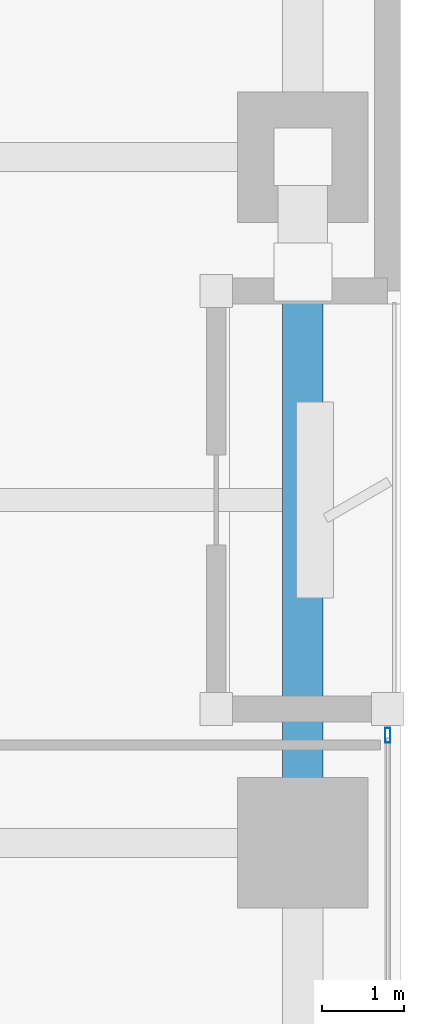
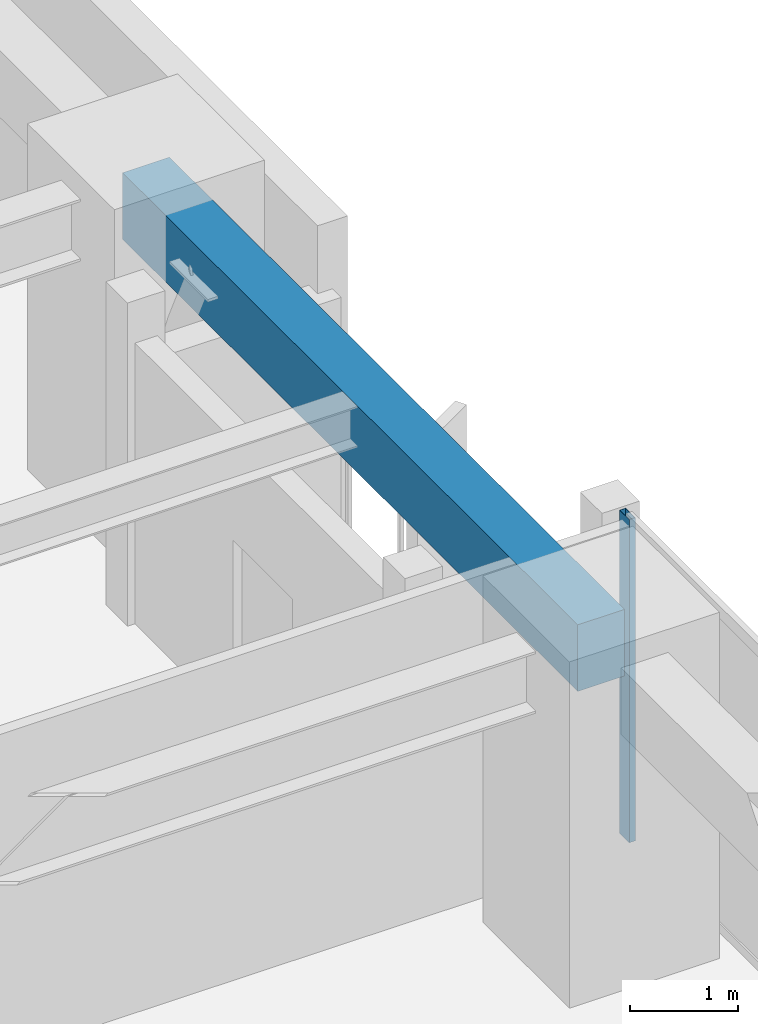
# One storey, part 10 of 28: 1 beam, 1 member, 1 element without a shape of its own.
"""IFC4 building model written with IfcOpenShell, lengths in metres."""

import ifcopenshell
import ifcopenshell.guid

model = None  # the IFC model being written
_history = None  # IfcOwnerHistory: only IFC2X3 demands one
_inside = {}  # id of a spatial element -> (the spatial element, [elements in it])
_under = {}  # id of a project, library or spatial element -> (it, [spatial elements below it])
_declared = {}  # id of a project -> (the project, [libraries it declares])
_typed = {}  # id of a type object -> (the type object, [elements of that type])
_made_of = {}  # id of a material, layer set ... -> (it, [elements and type objects made of it])


def new_model(schema):
    """Start an empty IFC model of exactly this schema.

    Asked for "IFC4X3", IfcOpenShell would pick the latest addendum, in which some entities
    have other attributes; the version numbers below select the first issue.
    IFC2X3 requires an IfcOwnerHistory on every rooted entity: one is made here for all.
    """
    global model, _history
    if schema == "IFC4X3":
        model = ifcopenshell.file(schema_version=(4, 3, 0, 0))
    else:
        model = ifcopenshell.file(schema=schema)
    _inside.clear()
    _under.clear()
    _declared.clear()
    _typed.clear()
    _made_of.clear()
    _history = None
    if model.schema == "IFC2X3":
        org = make("IfcOrganization", Name="unknown")
        user = make(
            "IfcPersonAndOrganization",
            ThePerson=make("IfcPerson", FamilyName="unknown"),
            TheOrganization=org,
        )
        app = make(
            "IfcApplication",
            ApplicationDeveloper=org,
            Version="unknown",
            ApplicationFullName="unknown",
            ApplicationIdentifier="unknown",
        )
        _history = make(
            "IfcOwnerHistory",
            OwningUser=user,
            OwningApplication=app,
            ChangeAction="ADDED",
            CreationDate=0,
        )
    return model


def make(cls, **values):
    """One entity of the class cls with the attributes given. An attribute that is None is left unset."""
    return model.create_entity(
        cls, **{name: value for name, value in values.items() if value is not None}
    )


def rooted(cls, **values):
    """An entity with a GlobalId (a new one), such as an element, a storey or a relation."""
    return make(cls, GlobalId=ifcopenshell.guid.new(), OwnerHistory=_history, **values)


def si_unit(unit_type, name, prefix=None):
    """IfcSIUnit, for example si_unit("LENGTHUNIT", "METRE", prefix="MILLI")."""
    return make("IfcSIUnit", UnitType=unit_type, Prefix=prefix, Name=name)


def assignment(units):
    """IfcUnitAssignment: the units of a project."""
    return None if units is None else make("IfcUnitAssignment", Units=units)


def point(xyz):
    """IfcCartesianPoint."""
    return None if xyz is None else make("IfcCartesianPoint", Coordinates=xyz)


def direction(xyz):
    """IfcDirection."""
    return None if xyz is None else make("IfcDirection", DirectionRatios=xyz)


def frame(location, z_axis=None, x_axis=None):
    """IfcAxis2Placement3D, a coordinate frame: its origin and axes. An axis left out is left unset."""
    return make(
        "IfcAxis2Placement3D",
        Location=point(location),
        Axis=direction(z_axis),
        RefDirection=direction(x_axis),
    )


def frame_2d(location, x_axis=None):
    """IfcAxis2Placement2D, a coordinate frame in the plane: its origin and x axis."""
    return make(
        "IfcAxis2Placement2D", Location=point(location), RefDirection=direction(x_axis)
    )


def origin():
    """The frame at (0, 0, 0) with its axes left unset."""
    return frame((0.0, 0.0, 0.0))


def origin_2d():
    """The frame at (0, 0) in the plane with its x axis left unset."""
    return frame_2d((0.0, 0.0))


def place(relative_to, where):
    """IfcLocalPlacement: puts the frame where relative to a parent placement (None: the world)."""
    return make(
        "IfcLocalPlacement", PlacementRelTo=relative_to, RelativePlacement=where
    )


def context(
    kind, dimensions, precision=None, world=None, true_north=None, identifier=None
):
    """IfcGeometricRepresentationContext, for example the 3D "Model" context."""
    return make(
        "IfcGeometricRepresentationContext",
        ContextIdentifier=identifier,
        ContextType=kind,
        CoordinateSpaceDimension=dimensions,
        Precision=precision,
        WorldCoordinateSystem=world,
        TrueNorth=true_north,
    )


def subcontext(parent, identifier, kind, view, scale=None):
    """IfcGeometricRepresentationSubContext, for example "Body" below "Model"."""
    return make(
        "IfcGeometricRepresentationSubContext",
        ContextIdentifier=identifier,
        ContextType=kind,
        ParentContext=parent,
        TargetScale=scale,
        TargetView=view,
    )


def project(units=None, contexts=None):
    """IfcProject with its units and contexts."""
    return rooted(
        "IfcProject",
        Name="project",
        RepresentationContexts=contexts,
        UnitsInContext=assignment(units),
    )


def spatial(cls, under=None, at=None, **own):
    """A site, building, storey or space (cls), placed at a placement, below another one or the project."""
    s = rooted(cls, ObjectPlacement=at, **own)
    if under is not None:
        _under.setdefault(under.id(), (under, []))[1].append(s)
    return s


def profile(cls, at=None, kind="AREA", **sizes):
    """A parametric profile (cls). Its sizes go by their IFC names, for example OverallWidth=200.0."""
    return make(cls, ProfileType=kind, Position=at, **sizes)


def rectangle(**sizes):
    """IfcRectangleProfileDef."""
    return profile("IfcRectangleProfileDef", **sizes)


def hollow_rectangle(**sizes):
    """IfcRectangleHollowProfileDef."""
    return profile("IfcRectangleHollowProfileDef", **sizes)


def extrude(swept, where, along, depth):
    """IfcExtrudedAreaSolid: the profile swept, set in the frame where, extruded along a direction by depth."""
    return make(
        "IfcExtrudedAreaSolid",
        SweptArea=swept,
        Position=where,
        ExtrudedDirection=direction(along),
        Depth=depth,
    )


def shape(context_of_items, identifier, shape_type, items):
    """IfcShapeRepresentation: the items that make up one representation, for example the "Body"."""
    return make(
        "IfcShapeRepresentation",
        ContextOfItems=context_of_items,
        RepresentationIdentifier=identifier,
        RepresentationType=shape_type,
        Items=items,
    )


def material(Name=None, Category=None):
    """IfcMaterial."""
    return make("IfcMaterial", Name=Name, Category=Category)


def layer(
    of_material, thickness, ventilated=None, Name=None, Category=None, Priority=None
):
    """IfcMaterialLayer: one layer of a wall or slab, of a material (None: an air gap)."""
    return make(
        "IfcMaterialLayer",
        Material=of_material,
        LayerThickness=thickness,
        IsVentilated=ventilated,
        Name=Name,
        Category=Category,
        Priority=Priority,
    )


def layer_set(layers, Name=None):
    """IfcMaterialLayerSet."""
    return make("IfcMaterialLayerSet", MaterialLayers=layers, LayerSetName=Name)


def material_profile(
    of_material, cross_section, Name=None, Category=None, Priority=None
):
    """IfcMaterialProfile: a cross section and its material."""
    return make(
        "IfcMaterialProfile",
        Name=Name,
        Material=of_material,
        Profile=cross_section,
        Priority=Priority,
        Category=Category,
    )


def profile_set(profiles, Name=None, composite=None):
    """IfcMaterialProfileSet."""
    return make(
        "IfcMaterialProfileSet",
        Name=Name,
        MaterialProfiles=profiles,
        CompositeProfile=composite,
    )


def made_of(thing, what):
    """Note that an element or type object is made of a material, layer set ...; save() writes the relation."""
    if what is not None:
        _made_of.setdefault(what.id(), (what, []))[1].append(thing)
    return thing


def type_object(cls, material=None, **own):
    """A type object (cls), such as IfcWallType, which elements share."""
    return made_of(rooted(cls, **own), material)


def element(
    cls,
    number,
    at=None,
    inside=None,
    cuts=None,
    type_object=None,
    material=None,
    context=None,
    identifier="Body",
    shape_type=None,
    held_by="IfcProductDefinitionShape",
    body=None,
    shapes=None,
    **own,
):
    """One element of the class cls, such as IfcWall. Its Tag is "e" and its number.

    at: its placement. inside: the storey or other place that contains it. cuts: it is an
    opening in that element (IfcRelVoidsElement). A single representation is given by context,
    identifier, shape_type and body (its items); several are given by shapes. held_by: the class
    of the entity that holds the representations. save() writes the other relations.
    """
    e = rooted(cls, Tag="e%d" % number, ObjectPlacement=at, **own)
    if body is not None:
        shapes = [shape(context, identifier, shape_type, body)]
    if shapes is not None:
        e.Representation = make(held_by, Representations=shapes)
    if inside is not None:
        _inside.setdefault(inside.id(), (inside, []))[1].append(e)
    if cuts is not None:
        rooted(
            "IfcRelVoidsElement", RelatingBuildingElement=cuts, RelatedOpeningElement=e
        )
    if type_object is not None:
        _typed.setdefault(type_object.id(), (type_object, []))[1].append(e)
    return made_of(e, material)


def aggregate(whole, parts):
    """IfcRelAggregates: a whole, such as a stair, and the parts it consists of."""
    return rooted("IfcRelAggregates", RelatingObject=whole, RelatedObjects=parts)


def save(model, path):
    """Write the relations noted so far, then the file.

    IfcRelAggregates (storeys below a building ...), IfcRelContainedInSpatialStructure (elements
    in a storey), IfcRelDefinesByType, IfcRelAssociatesMaterial and IfcRelDeclares: one each for
    every whole, place, type object, material and project.
    """
    for whole, parts in _under.values():
        aggregate(whole, parts)
    for where, things in _inside.values():
        rooted(
            "IfcRelContainedInSpatialStructure",
            RelatedElements=things,
            RelatingStructure=where,
        )
    for kind, things in _typed.values():
        rooted("IfcRelDefinesByType", RelatedObjects=things, RelatingType=kind)
    for what, things in _made_of.values():
        rooted("IfcRelAssociatesMaterial", RelatedObjects=things, RelatingMaterial=what)
    for by, libraries in _declared.values():
        rooted("IfcRelDeclares", RelatingContext=by, RelatedDefinitions=libraries)
    model.write(path)


model = new_model("IFC4")

# Units and contexts
model_context = context("Model", 3, precision=1e-05, world=origin(), true_north=direction((0.0, 1.0)))
body_context = subcontext(model_context, "Body", "Model", "MODEL_VIEW")
ifc_project = project(units=[si_unit("LENGTHUNIT", "METRE"), si_unit("AREAUNIT", "SQUARE_METRE"), si_unit("VOLUMEUNIT", "CUBIC_METRE"), si_unit("PLANEANGLEUNIT", "RADIAN"), si_unit("MASSUNIT", "GRAM", prefix="KILO")], contexts=[model_context])

# Site, building, storey
site_placement = place(None, origin())
site = spatial("IfcSite", under=ifc_project, at=site_placement, CompositionType="ELEMENT")
building_placement = place(site_placement, origin())
building = spatial("IfcBuilding", under=site, at=building_placement, Name="Kiyonajd Concourse Tower", CompositionType="ELEMENT")
storey_placement = place(building_placement, frame((0.0, 0.0, 64.5)))
storey = spatial("IfcBuildingStorey", under=building, at=storey_placement, Name="L17", CompositionType="ELEMENT", Elevation=64.5)

# Beam
ifc_material_1 = material(Name="Precast concrete C50/60", Category="concrete")
ifc_material_profile_1 = material_profile(ifc_material_1, rectangle(XDim=0.5, YDim=0.75, at=origin_2d()), Name="RCBM-500x750")
ifc_profile_set_1 = profile_set([ifc_material_profile_1], Name="Precast concrete C50/60")
beam_type = type_object("IfcBeamType", Name="BM-SPAN-RC", PredefinedType="SPANDREL", material=ifc_profile_set_1)
beam_placement = place(storey_placement, frame((78.0, 36.0, 3.264892578125), z_axis=(0.0, 1.0, 0.0), x_axis=(-1.0, 0.0, 0.0)))
element("IfcBeam", 1, at=beam_placement, inside=storey, type_object=beam_type, Name="L17 Perimeter Bundled Tube Spandrel", PredefinedType="SPANDREL", context=body_context, shape_type="SweptSolid", body=[
    extrude(rectangle(XDim=0.5, YDim=0.75, at=origin_2d()), origin(), (0.0, 0.0, 1.0), 8.39990234375),
])

# Curtain wall, member
ifc_material_2 = material(Name="Thermally Broken Anodised Aluminium", Category="aluminium")
ifc_layer = layer(ifc_material_2, 0.179931640625)
ifc_layer_set = layer_set([ifc_layer], Name="Thermally Broken Anodised Aluminium")
curtain_wall_type = type_object("IfcCurtainWallType", Name="CW-SYS-02", PredefinedType="NOTDEFINED", material=ifc_layer_set)
curtain_wall_placement = place(storey_placement, origin())
curtain_wall = element("IfcCurtainWall", 2, at=curtain_wall_placement, inside=storey, type_object=curtain_wall_type, Name="L17 Unitised Curtain Wall CW2", PredefinedType="NOTDEFINED")
ifc_material_profile_2 = material_profile(ifc_material_2, hollow_rectangle(XDim=0.06494140625, YDim=0.179931640625, WallThickness=0.00390625, at=origin_2d()), Name="MULL-65x180")
ifc_profile_set_2 = profile_set([ifc_material_profile_2], Name="Thermally Broken Anodised Aluminium")
member_type = type_object("IfcMemberType", Name="MB-CW-MULL1", PredefinedType="MULLION", material=ifc_profile_set_2)
member_placement = place(storey_placement, frame((79.0400390625, 37.3173828125, 0.0), z_axis=(0.0, 0.0, 1.0), x_axis=(1.0, 0.0, 0.0)))
member = element("IfcMember", 3, at=member_placement, type_object=member_type, Name="CW2 mullion 1", PredefinedType="MULLION", context=body_context, shape_type="SweptSolid", body=[
    extrude(hollow_rectangle(XDim=0.06494140625, YDim=0.179931640625, WallThickness=0.00390625, at=origin_2d()), origin(), (0.0, 0.0, 1.0), 3.639892578125),
])
aggregate(curtain_wall, [member])

save(model, "model.ifc")
